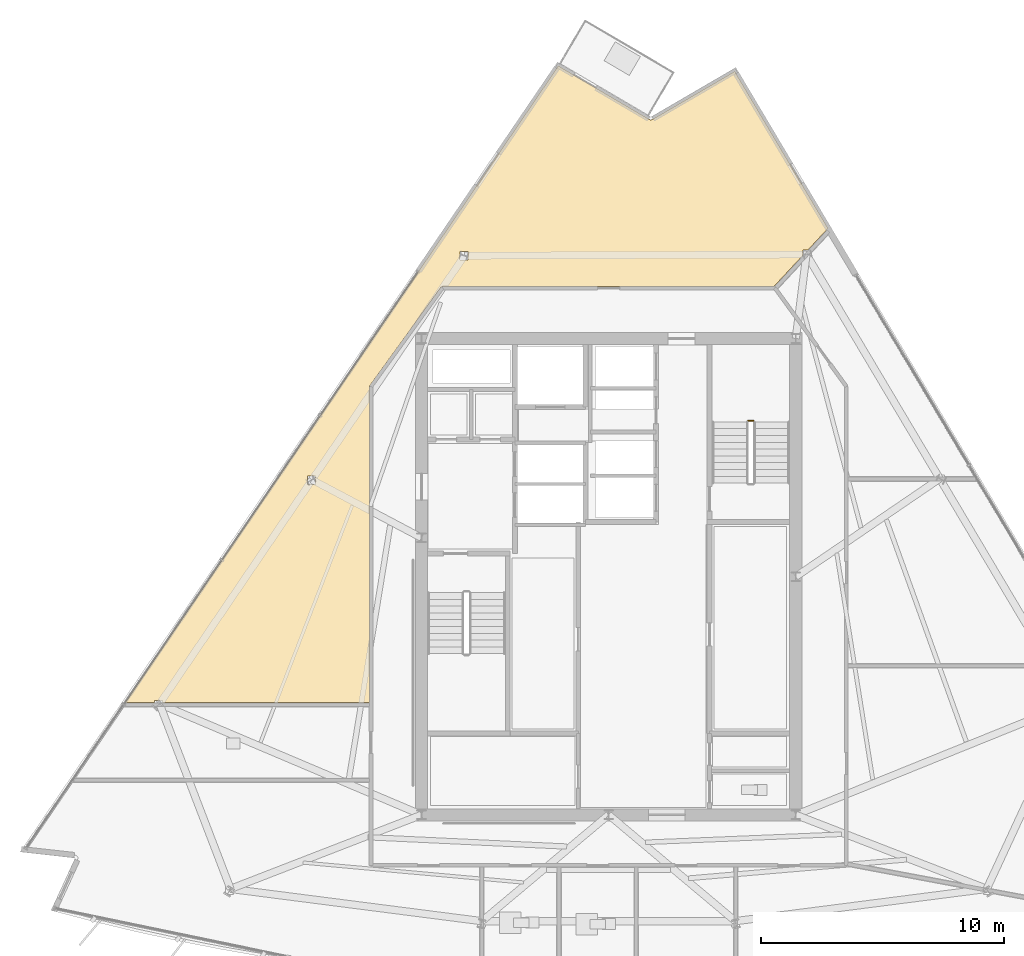
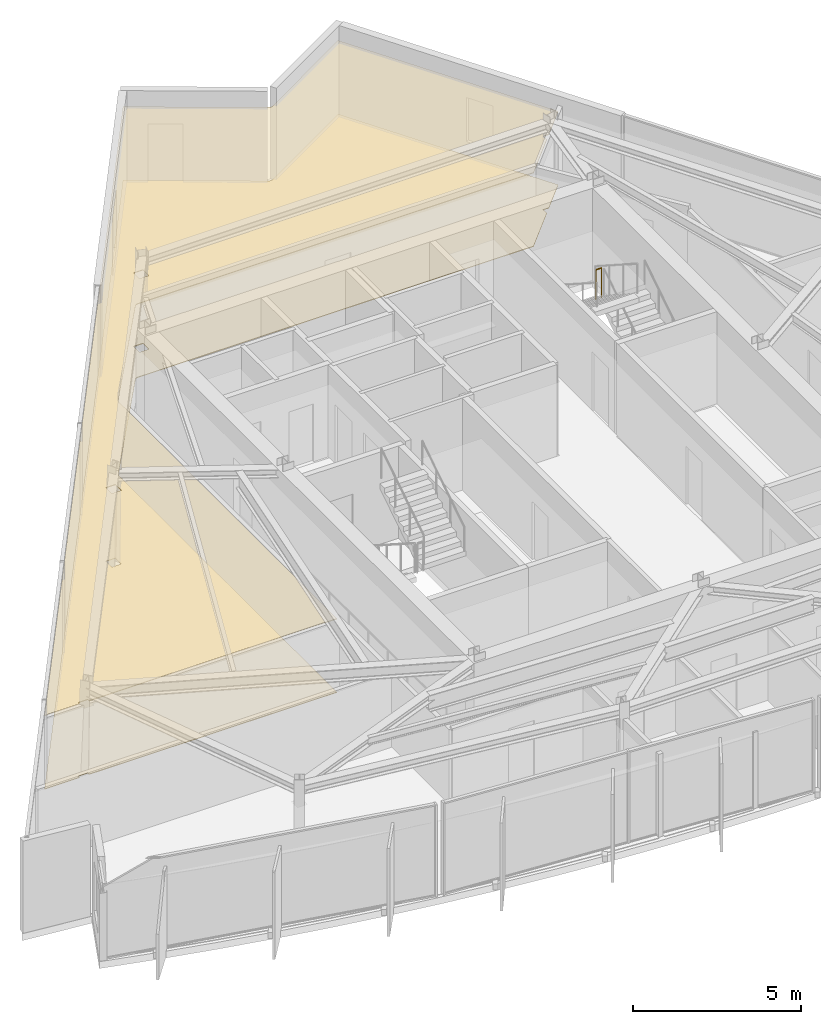
# One storey, part 11 of 13: 2 coverings, 1 railing.
"""IFC4 building model written with IfcOpenShell, lengths in metres."""

from ifc_helpers import new_model, si_unit, direction, frame, origin, origin_2d, place, context, subcontext, project, spatial, polyline, circle, outline, extrude, material, layer, layer_set, type_object, element, save


model = new_model("IFC4")

# Units and contexts
model_context = context("Model", 3, precision=1e-05, world=origin(), true_north=direction((0.0, 1.0)))
body_context = subcontext(model_context, "Body", "Model", "MODEL_VIEW")
ifc_project = project(units=[si_unit("LENGTHUNIT", "METRE"), si_unit("AREAUNIT", "SQUARE_METRE"), si_unit("VOLUMEUNIT", "CUBIC_METRE"), si_unit("PLANEANGLEUNIT", "RADIAN"), si_unit("MASSUNIT", "GRAM", prefix="KILO")], contexts=[model_context])

# Site, building, storey
site_placement = place(None, origin())
site = spatial("IfcSite", under=ifc_project, at=site_placement, CompositionType="ELEMENT")
building_placement = place(site_placement, origin())
building = spatial("IfcBuilding", under=site, at=building_placement, Name="Savorim Split Tower", CompositionType="ELEMENT")
storey_placement = place(building_placement, frame((0.0, 0.0, 265.199951171875)))
storey = spatial("IfcBuildingStorey", under=building, at=storey_placement, Name="L70", CompositionType="ELEMENT", Elevation=265.199951171875)

# Coverings
ifc_material_1 = material(Name="Mineral Fibre Acoustic Ceiling")
ifc_layer_1 = layer(ifc_material_1, 0.02490234375)
ifc_layer_set_1 = layer_set([ifc_layer_1], Name="COV-CEIL-25")
covering_type_1 = type_object("IfcCoveringType", Name="COV-CEIL-25", PredefinedType="CEILING", material=ifc_layer_set_1)
covering_1_placement = place(storey_placement, frame((0.0, 0.0, 2.670166015625)))
element("IfcCovering", 1, at=covering_1_placement, inside=storey, type_object=covering_type_1, Name="L70 Co-Working Commons Acoustic Ceiling", PredefinedType="CEILING", context=body_context, shape_type="SweptSolid", body=[
    extrude(outline(polyline([(1.697265625, 19.2041015625), (1.6865234375, 19.20849609375), (1.676513671875, 19.213623046875), (-2.071533203125, 21.41650390625), (-19.89111328125, -4.778076171875), (-18.68701171875, -4.778076171875), (-18.68701171875, -4.697998046875), (-18.35791015625, -4.697998046875), (-18.35791015625, -4.778076171875), (-9.840087890625, -4.778076171875), (-9.840087890625, 8.199951171875), (-9.839111328125, 8.214599609375), (-9.8369140625, 8.22900390625), (-9.833251953125, 8.2431640625), (-9.827880859375, 8.2568359375), (-9.8212890625, 8.27001953125), (-9.813232421875, 8.2822265625), (-6.913330078125, 12.2822265625), (-6.905029296875, 12.29248046875), (-6.89599609375, 12.302001953125), (-6.885986328125, 12.310546875), (-6.875, 12.318115234375), (-6.863525390625, 12.32470703125), (-6.8515625, 12.330078125), (-6.839111328125, 12.33447265625), (-6.826416015625, 12.33740234375), (-6.813232421875, 12.33935546875), (-6.800048828125, 12.340087890625), (6.800048828125, 12.340087890625), (6.801513671875, 12.33984375), (7.99560546875, 13.622802734375), (7.99560546875, 13.8349609375), (8.193115234375, 13.8349609375), (8.97412109375, 14.673583984375), (9.0283203125, 14.732177734375), (5.188720703125, 21.189697265625), (1.797607421875, 19.21337890625), (1.787353515625, 19.208251953125), (1.776611328125, 19.203857421875), (1.765625, 19.20068359375), (1.75439453125, 19.198486328125), (1.742919921875, 19.197265625), (1.731201171875, 19.197265625), (1.7197265625, 19.198486328125), (1.70849609375, 19.20068359375), (1.697265625, 19.2041015625)]), holes=[polyline([(-5.78369140625, 13.7861328125), (-6.112548828125, 13.7861328125), (-6.112548828125, 13.43603515625), (-5.78369140625, 13.43603515625), (-5.78369140625, 13.7861328125)]), polyline([(-12.39990234375, 4.5439453125), (-12.39990234375, 4.194091796875), (-12.07080078125, 4.194091796875), (-12.07080078125, 4.5439453125), (-12.39990234375, 4.5439453125)])]), origin(), (0.0, 0.0, 1.0), 0.02490234375),
])
ifc_material_2 = material(Name="Porcelain Stoneware Flooring", Category="masonry")
ifc_layer_2 = layer(ifc_material_2, 0.02001953125)
ifc_layer_set_2 = layer_set([ifc_layer_2], Name="COV-FLOR-20")
covering_type_2 = type_object("IfcCoveringType", Name="COV-FLOR-20", PredefinedType="FLOORING", material=ifc_layer_set_2)
covering_2_placement = place(storey_placement, origin())
element("IfcCovering", 2, at=covering_2_placement, inside=storey, type_object=covering_type_2, Name="L70 Co-Working Commons Porcelain Flooring", PredefinedType="FLOORING", context=body_context, shape_type="SweptSolid", body=[
    extrude(outline(polyline([(1.697265625, 19.2041015625), (1.6865234375, 19.20849609375), (1.676513671875, 19.213623046875), (-2.071533203125, 21.41650390625), (-19.89111328125, -4.778076171875), (-18.68701171875, -4.778076171875), (-18.68701171875, -4.697998046875), (-18.35791015625, -4.697998046875), (-18.35791015625, -4.778076171875), (-9.840087890625, -4.778076171875), (-9.840087890625, 8.199951171875), (-9.839111328125, 8.214599609375), (-9.8369140625, 8.22900390625), (-9.833251953125, 8.2431640625), (-9.827880859375, 8.2568359375), (-9.8212890625, 8.27001953125), (-9.813232421875, 8.2822265625), (-6.913330078125, 12.2822265625), (-6.905029296875, 12.29248046875), (-6.89599609375, 12.302001953125), (-6.885986328125, 12.310546875), (-6.875, 12.318115234375), (-6.863525390625, 12.32470703125), (-6.8515625, 12.330078125), (-6.839111328125, 12.33447265625), (-6.826416015625, 12.33740234375), (-6.813232421875, 12.33935546875), (-6.800048828125, 12.340087890625), (6.800048828125, 12.340087890625), (6.801513671875, 12.33984375), (7.99560546875, 13.622802734375), (7.99560546875, 13.8349609375), (8.193115234375, 13.8349609375), (8.97412109375, 14.673583984375), (9.0283203125, 14.732177734375), (5.188720703125, 21.189697265625), (1.797607421875, 19.21337890625), (1.787353515625, 19.208251953125), (1.776611328125, 19.203857421875), (1.765625, 19.20068359375), (1.75439453125, 19.198486328125), (1.742919921875, 19.197265625), (1.731201171875, 19.197265625), (1.7197265625, 19.198486328125), (1.70849609375, 19.20068359375), (1.697265625, 19.2041015625)]), holes=[polyline([(-5.78369140625, 13.7861328125), (-6.112548828125, 13.7861328125), (-6.112548828125, 13.43603515625), (-5.78369140625, 13.43603515625), (-5.78369140625, 13.7861328125)]), polyline([(-12.39990234375, 4.5439453125), (-12.39990234375, 4.194091796875), (-12.07080078125, 4.194091796875), (-12.07080078125, 4.5439453125), (-12.39990234375, 4.5439453125)])]), origin(), (0.0, 0.0, 1.0), 0.02001953125),
])

# Railing
ifc_material_3 = material(Name="Galvanised Painted Steel Balustrade", Category="steel")
railing_type = type_object("IfcRailingType", Name="RLG-STG-1100", PredefinedType="BALUSTRADE", material=ifc_material_3)
railing_placement = place(storey_placement, frame((5.949951171875, 6.820068359375, 1.800048828125)))
element("IfcRailing", 3, at=railing_placement, inside=storey, type_object=railing_type, Name="L70 ST-2 stair guard 2", PredefinedType="BALUSTRADE", context=body_context, shape_type="SweptSolid", body=[
    extrude(circle(Radius=0.02392578125, at=origin_2d()), frame((0.0, 0.0, 1.076171875), z_axis=(-1.0, 0.0, 0.0), x_axis=(0.0, -1.0, 0.0)), (0.0, 0.0, 1.0), 0.199951171875),
    extrude(circle(Radius=0.02099609375, at=origin_2d()), origin(), (0.0, 0.0, 1.0), 1.052001953125),
    extrude(circle(Radius=0.02099609375, at=origin_2d()), frame((-0.199951171875, 0.0, 0.0)), (0.0, 0.0, 1.0), 1.052001953125),
])

save(model, "model.ifc")
